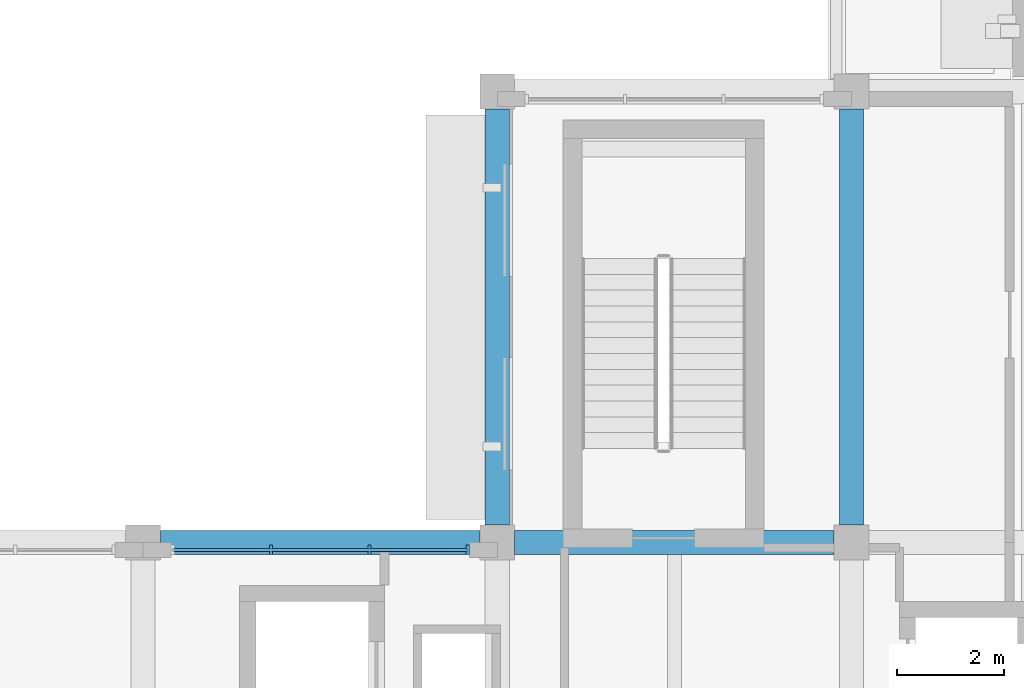
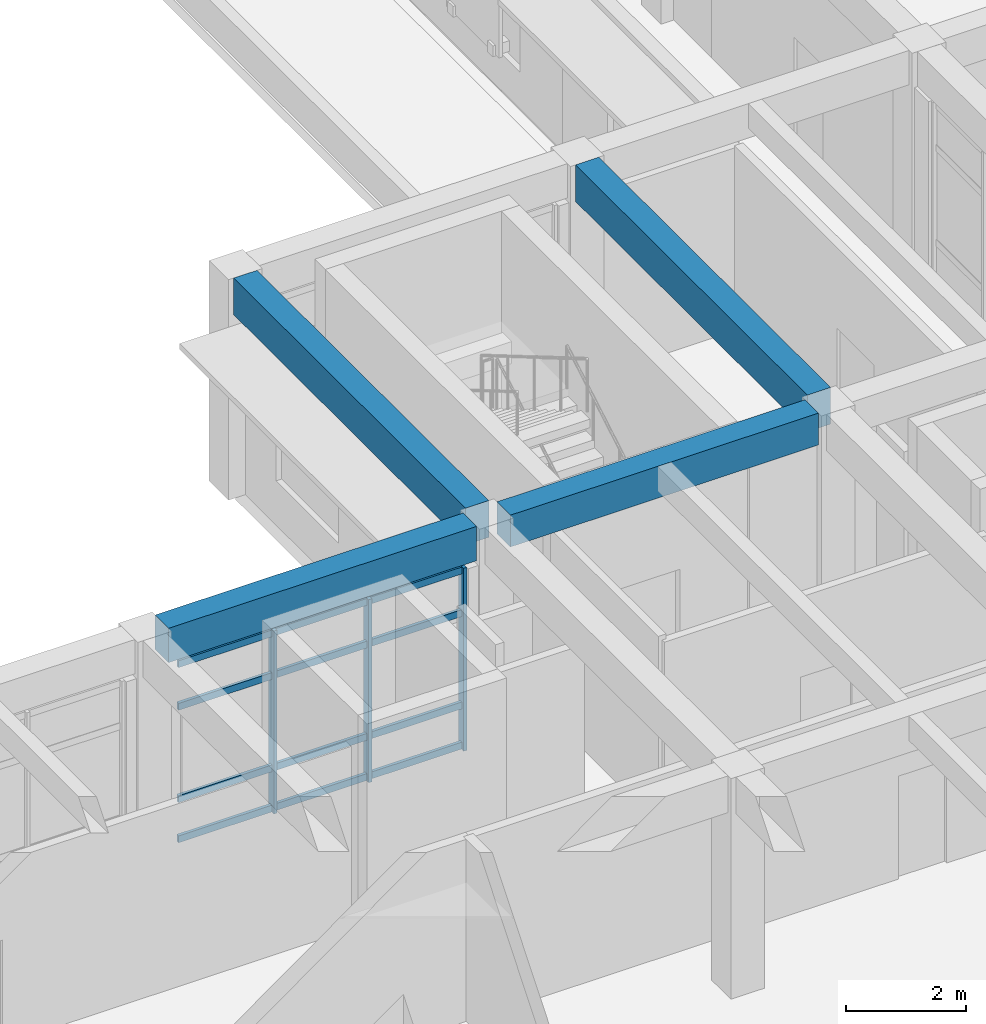
# One storey, part 9 of 50: 7 members, 4 beams, 1 element without a shape of its own.
"""IFC4 building model written with IfcOpenShell, lengths in metres."""

from ifc_helpers import new_model, si_unit, direction, frame, origin, origin_2d, place, context, subcontext, project, spatial, rectangle, extrude, material, layer, layer_set, material_profile, profile_set, type_object, element, aggregate, save


model = new_model("IFC4")

# Units and contexts
model_context = context("Model", 3, precision=1e-05, world=origin(), true_north=direction((0.0, 1.0)))
body_context = subcontext(model_context, "Body", "Model", "MODEL_VIEW")
ifc_project = project(units=[si_unit("LENGTHUNIT", "METRE"), si_unit("AREAUNIT", "SQUARE_METRE"), si_unit("VOLUMEUNIT", "CUBIC_METRE"), si_unit("PLANEANGLEUNIT", "RADIAN"), si_unit("MASSUNIT", "GRAM", prefix="KILO")], contexts=[model_context])

# Site, building, storey
site_placement = place(None, origin())
site = spatial("IfcSite", under=ifc_project, at=site_placement, CompositionType="ELEMENT")
building_placement = place(site_placement, origin())
building = spatial("IfcBuilding", under=site, at=building_placement, Name="Kolvaren Faculty of Natural Sciences", CompositionType="ELEMENT")
storey_placement = place(building_placement, frame((0.0, 0.0, 15.0)))
storey = spatial("IfcBuildingStorey", under=building, at=storey_placement, Name="L03", CompositionType="ELEMENT", Elevation=15.0)

# Curtain wall, members
ifc_material_1 = material(Name="Thermally broken anodised aluminium framing", Category="aluminium")
ifc_layer = layer(ifc_material_1, 0.179931640625)
ifc_layer_set = layer_set([ifc_layer], Name="Thermally broken anodised aluminium framing")
curtain_wall_type = type_object("IfcCurtainWallType", Name="CommonsCurtainWall_CW02", PredefinedType="NOTDEFINED", material=ifc_layer_set)
curtain_wall_placement = place(storey_placement, origin())
curtain_wall = element("IfcCurtainWall", 1, at=curtain_wall_placement, inside=storey, type_object=curtain_wall_type, Name="L03 unitised curtain wall CW-02 (CW-L03-163)", PredefinedType="NOTDEFINED")
ifc_material_profile_1 = material_profile(ifc_material_1, rectangle(XDim=0.06005859375, YDim=0.179931640625, at=origin_2d()), Name="ALU MUL 60x180")
ifc_profile_set_1 = profile_set([ifc_material_profile_1], Name="Thermally broken anodised aluminium framing")
member_type_1 = type_object("IfcMemberType", Name="CurtainMullion_60x180", PredefinedType="MULLION", material=ifc_profile_set_1)
member_1_placement = place(storey_placement, frame((121.38330078125, 33.659912109375, 0.0), z_axis=(0.0, 0.0, 1.0), x_axis=(1.0, 0.0, 0.0)))
member_1 = element("IfcMember", 2, at=member_1_placement, type_object=member_type_1, Name="CW-L03-163 vertical mullion 2", PredefinedType="MULLION", context=body_context, shape_type="SweptSolid", body=[
    extrude(rectangle(XDim=0.06005859375, YDim=0.179931640625, at=origin_2d()), origin(), (0.0, 0.0, 1.0), 3.735107421875),
])
member_2_placement = place(storey_placement, frame((123.216796875, 33.659912109375, 0.0), z_axis=(0.0, 0.0, 1.0), x_axis=(1.0, 0.0, 0.0)))
member_2 = element("IfcMember", 3, at=member_2_placement, type_object=member_type_1, Name="CW-L03-163 vertical mullion 3", PredefinedType="MULLION", context=body_context, shape_type="SweptSolid", body=[
    extrude(rectangle(XDim=0.06005859375, YDim=0.179931640625, at=origin_2d()), origin(), (0.0, 0.0, 1.0), 3.735107421875),
])
member_3_placement = place(storey_placement, frame((125.050048828125, 33.659912109375, 0.0), z_axis=(0.0, 0.0, 1.0), x_axis=(1.0, 0.0, 0.0)))
member_3 = element("IfcMember", 4, at=member_3_placement, type_object=member_type_1, Name="CW-L03-163 vertical mullion 4", PredefinedType="MULLION", context=body_context, shape_type="SweptSolid", body=[
    extrude(rectangle(XDim=0.06005859375, YDim=0.179931640625, at=origin_2d()), origin(), (0.0, 0.0, 1.0), 3.735107421875),
])
ifc_material_profile_2 = material_profile(ifc_material_1, rectangle(XDim=0.06005859375, YDim=0.139892578125, at=origin_2d()), Name="ALU TRN 60x140")
ifc_profile_set_2 = profile_set([ifc_material_profile_2], Name="Thermally broken anodised aluminium framing")
member_type_2 = type_object("IfcMemberType", Name="CurtainTransom_60x140", PredefinedType="USERDEFINED", material=ifc_profile_set_2)
member_4_placement = place(storey_placement, frame((119.550048828125, 33.659912109375, 0.080078125), z_axis=(1.0, 0.0, 0.0), x_axis=(0.0, 1.0, 0.0)))
member_4 = element("IfcMember", 5, at=member_4_placement, type_object=member_type_2, Name="CW-L03-163 horizontal transom 1", ObjectType="TRANSOM", PredefinedType="USERDEFINED", context=body_context, shape_type="SweptSolid", body=[
    extrude(rectangle(XDim=0.06005859375, YDim=0.139892578125, at=origin_2d()), origin(), (0.0, 0.0, 1.0), 5.5),
])
member_5_placement = place(storey_placement, frame((119.550048828125, 33.659912109375, 0.89990234375), z_axis=(1.0, 0.0, 0.0), x_axis=(0.0, 1.0, 0.0)))
member_5 = element("IfcMember", 6, at=member_5_placement, type_object=member_type_2, Name="CW-L03-163 horizontal transom 2", ObjectType="TRANSOM", PredefinedType="USERDEFINED", context=body_context, shape_type="SweptSolid", body=[
    extrude(rectangle(XDim=0.06005859375, YDim=0.139892578125, at=origin_2d()), origin(), (0.0, 0.0, 1.0), 5.5),
])
member_6_placement = place(storey_placement, frame((119.550048828125, 33.659912109375, 2.784912109375), z_axis=(1.0, 0.0, 0.0), x_axis=(0.0, 1.0, 0.0)))
member_6 = element("IfcMember", 7, at=member_6_placement, type_object=member_type_2, Name="CW-L03-163 horizontal transom 3", ObjectType="TRANSOM", PredefinedType="USERDEFINED", context=body_context, shape_type="SweptSolid", body=[
    extrude(rectangle(XDim=0.06005859375, YDim=0.139892578125, at=origin_2d()), origin(), (0.0, 0.0, 1.0), 5.5),
])
member_7_placement = place(storey_placement, frame((119.550048828125, 33.659912109375, 3.655029296875), z_axis=(1.0, 0.0, 0.0), x_axis=(0.0, 1.0, 0.0)))
member_7 = element("IfcMember", 8, at=member_7_placement, type_object=member_type_2, Name="CW-L03-163 horizontal transom 4", ObjectType="TRANSOM", PredefinedType="USERDEFINED", context=body_context, shape_type="SweptSolid", body=[
    extrude(rectangle(XDim=0.06005859375, YDim=0.139892578125, at=origin_2d()), origin(), (0.0, 0.0, 1.0), 5.5),
])
aggregate(curtain_wall, [member_1, member_2, member_3, member_4, member_5, member_6, member_7])

# Beams
ifc_material_2 = material(Name="Concrete C35/45", Category="concrete")
ifc_material_profile_3 = material_profile(ifc_material_2, rectangle(XDim=0.449951171875, YDim=0.64990234375, at=origin_2d()), Name="RC BM 450x650")
ifc_profile_set_3 = profile_set([ifc_material_profile_3], Name="Concrete C35/45")
beam_type_1 = type_object("IfcBeamType", Name="GridBeam_450x650", PredefinedType="BEAM", material=ifc_profile_set_3)
beam_1_placement = place(storey_placement, frame((125.925048828125, 33.800048828125, 4.175048828125), z_axis=(1.0, 0.0, 0.0), x_axis=(0.0, 1.0, 0.0)))
element("IfcBeam", 9, at=beam_1_placement, inside=storey, type_object=beam_type_1, Name="L03 beam BM-65 on grid E", PredefinedType="BEAM", context=body_context, shape_type="SweptSolid", body=[
    extrude(rectangle(XDim=0.449951171875, YDim=0.64990234375, at=origin_2d()), origin(), (0.0, 0.0, 1.0), 5.949951171875),
])
ifc_material_profile_4 = material_profile(ifc_material_2, rectangle(XDim=0.449951171875, YDim=0.699951171875, at=origin_2d()), Name="RC SP 450x700")
ifc_profile_set_4 = profile_set([ifc_material_profile_4], Name="Concrete C35/45")
beam_type_2 = type_object("IfcBeamType", Name="PerimeterSpandrel_450x700", PredefinedType="SPANDREL", material=ifc_profile_set_4)
beam_2_placement = place(storey_placement, frame((119.324951171875, 33.800048828125, 4.14990234375), z_axis=(1.0, 0.0, 0.0), x_axis=(0.0, 1.0, 0.0)))
element("IfcBeam", 10, at=beam_2_placement, inside=storey, type_object=beam_type_2, Name="L03 spandrel SP-70 on grid E", PredefinedType="SPANDREL", context=body_context, shape_type="SweptSolid", body=[
    extrude(rectangle(XDim=0.449951171875, YDim=0.699951171875, at=origin_2d()), origin(), (0.0, 0.0, 1.0), 5.949951171875),
])
ifc_material_profile_5 = material_profile(ifc_material_2, rectangle(XDim=0.449951171875, YDim=0.75, at=origin_2d()), Name="RC BM 450x750")
ifc_profile_set_5 = profile_set([ifc_material_profile_5], Name="Concrete C35/45")
beam_type_3 = type_object("IfcBeamType", Name="PrimaryGirder_450x750", PredefinedType="BEAM", material=ifc_profile_set_5)
for number, where, z_axis, x_axis, name in (
    (11, (125.60009765625, 34.125, 4.125), (0.0, 1.0, 0.0), (-1.0, 0.0, 0.0), "L03 girder BG-75 on grid 20"),
    (12, (132.199951171875, 34.125, 4.125), (0.0, 1.0, 0.0), (-1.0, 0.0, 0.0), "L03 girder BG-75 on grid 21"),
):
    element("IfcBeam", number, at=place(storey_placement, frame(where, z_axis=z_axis, x_axis=x_axis)), inside=storey, type_object=beam_type_3, Name=name, PredefinedType="BEAM", context=body_context, shape_type="SweptSolid", body=[
        extrude(rectangle(XDim=0.449951171875, YDim=0.75, at=origin_2d()), origin(), (0.0, 0.0, 1.0), 7.75),
    ])

save(model, "model.ifc")
